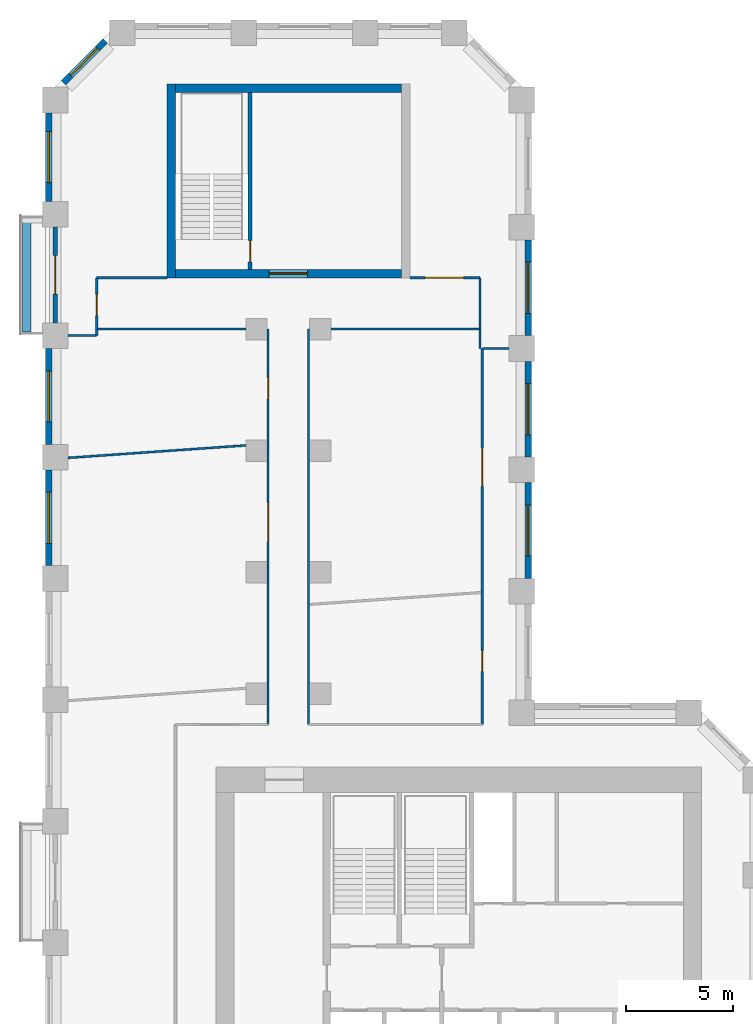
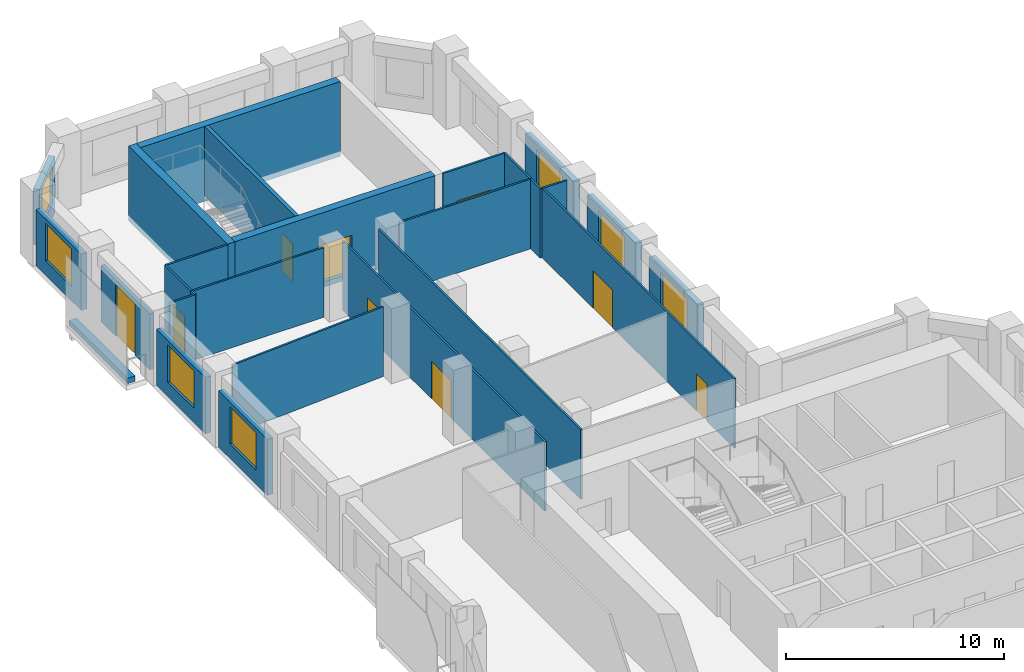
# One storey, part 8 of 10: 27 walls, 9 doors, 7 windows, 16 openings.
"""IFC4 building model written with IfcOpenShell, lengths in metres."""

from ifc_helpers import new_model, si_unit, direction, frame, frame_2d, origin, place, context, subcontext, project, spatial, rectangle, extrude, material, layer, layer_set, type_object, element, fill, save


model = new_model("IFC4")

# Units and contexts
model_context = context("Model", 3, precision=1e-05, world=origin(), true_north=direction((0.0, 1.0)))
body_context = subcontext(model_context, "Body", "Model", "MODEL_VIEW")
ifc_project = project(units=[si_unit("LENGTHUNIT", "METRE"), si_unit("AREAUNIT", "SQUARE_METRE"), si_unit("VOLUMEUNIT", "CUBIC_METRE"), si_unit("PLANEANGLEUNIT", "RADIAN"), si_unit("MASSUNIT", "GRAM", prefix="KILO")], contexts=[model_context])

# Site, building, storey
site_placement = place(None, origin())
site = spatial("IfcSite", under=ifc_project, at=site_placement, CompositionType="ELEMENT")
building_placement = place(site_placement, origin())
building = spatial("IfcBuilding", under=site, at=building_placement, Name="Meshkara Civic Tower", CompositionType="ELEMENT")
storey_placement = place(building_placement, frame((0.0, 0.0, 203.39990234375)))
storey = spatial("IfcBuildingStorey", under=building, at=storey_placement, Name="L46", CompositionType="ELEMENT", Elevation=203.39990234375)

# Wall
ifc_material_1 = material(Name="Corridor wall 100")
ifc_layer_1 = layer(ifc_material_1, 0.10009765625)
ifc_layer_set_1 = layer_set([ifc_layer_1], Name="Corridor wall 100")
wall_type_1 = type_object("IfcWallType", Name="Corridor wall 100", PredefinedType="PARTITIONING", material=ifc_layer_set_1)
wall_1_placement = place(storey_placement, frame((2.39990234375, 57.469970703125, 0.0), z_axis=(0.0, 0.0, 1.0), x_axis=(1.0, 0.0, 0.0)))
element("IfcWall", 1, at=wall_1_placement, inside=storey, type_object=wall_type_1, Name="L46-W001", PredefinedType="PARTITIONING", context=body_context, shape_type="SweptSolid", body=[
    extrude(rectangle(XDim=7.0, YDim=0.10009765625, at=frame_2d((3.5, 0.0))), origin(), (0.0, 0.0, 1.0), 3.900146484375),
])

# Wall, opening, door
wall_2_placement = place(storey_placement, frame((2.39990234375, 59.8701171875, 0.0), z_axis=(0.0, 0.0, 1.0), x_axis=(0.0, -1.0, 0.0)))
wall_2 = element("IfcWall", 2, at=wall_2_placement, inside=storey, type_object=wall_type_1, Name="L46-W002", PredefinedType="PARTITIONING", context=body_context, shape_type="SweptSolid", body=[
    extrude(rectangle(XDim=2.400146484375, YDim=0.10009765625, at=frame_2d((1.2001953125, 0.0))), origin(), (0.0, 0.0, 1.0), 3.900146484375),
])
opening_1_placement = place(wall_2_placement, frame((0.780029296875, 0.0, 0.0)))
opening_1 = element("IfcOpeningElement", 3, at=opening_1_placement, cuts=wall_2, Name="Opening L46-D021", PredefinedType="OPENING", context=body_context, shape_type="SweptSolid", body=[
    extrude(rectangle(XDim=1.0, YDim=2.10009765625, at=frame_2d((0.5, 1.050048828125))), frame((0.0, 0.06005859375, 0.0), z_axis=(0.0, -1.0, 0.0), x_axis=(1.0, 0.0, 0.0)), (0.0, 0.0, 1.0), 0.1201171875),
])
ifc_material_2 = material(Name="Door 1000 x 2100")
door_type_1 = type_object("IfcDoorType", Name="Door 1000 x 2100", OperationType="SINGLE_SWING_LEFT", PredefinedType="DOOR", material=ifc_material_2)
door_1_placement = place(opening_1_placement, origin())
door_1 = element("IfcDoor", 4, at=door_1_placement, inside=storey, type_object=door_type_1, Name="L46-D021", OperationType="SINGLE_SWING_LEFT", OverallHeight=2.10009765625, OverallWidth=1.0, PredefinedType="DOOR", context=body_context, shape_type="SweptSolid", body=[
    extrude(rectangle(XDim=1.0, YDim=2.10009765625, at=frame_2d((0.5, 1.050048828125))), frame((0.0, 0.02490234375, 0.0), z_axis=(0.0, -1.0, 0.0), x_axis=(1.0, 0.0, 0.0)), (0.0, 0.0, 1.0), 0.050048828125),
])
fill(opening_1, door_1)

# Wall
wall_3_placement = place(storey_placement, frame((5.699951171875, 59.8701171875, 0.0), z_axis=(0.0, 0.0, 1.0), x_axis=(-1.0, 0.0, 0.0)))
element("IfcWall", 5, at=wall_3_placement, inside=storey, type_object=wall_type_1, Name="L46-W003", PredefinedType="PARTITIONING", context=body_context, shape_type="SweptSolid", body=[
    extrude(rectangle(XDim=3.300048828125, YDim=0.10009765625, at=frame_2d((1.64990234375, 0.0))), origin(), (0.0, 0.0, 1.0), 3.900146484375),
])

# Wall, openings, doors
wall_4_placement = place(storey_placement, frame((10.449951171875, 57.469970703125, 0.0), z_axis=(0.0, 0.0, 1.0), x_axis=(0.0, -1.0, 0.0)))
wall_4 = element("IfcWall", 6, at=wall_4_placement, inside=storey, type_object=wall_type_1, Name="L46-W012", PredefinedType="PARTITIONING", context=body_context, shape_type="SweptSolid", body=[
    extrude(rectangle(XDim=18.570068359375, YDim=0.10009765625, at=frame_2d((9.28515625, 0.0))), origin(), (0.0, 0.0, 1.0), 3.900146484375),
])
opening_2_placement = place(wall_4_placement, frame((8.176025390625, 0.0, 0.0)))
opening_2 = element("IfcOpeningElement", 7, at=opening_2_placement, cuts=wall_4, Name="Opening L46-D019", PredefinedType="OPENING", context=body_context, shape_type="SweptSolid", body=[
    extrude(rectangle(XDim=1.800048828125, YDim=2.10009765625, at=frame_2d((0.89990234375, 1.050048828125))), frame((0.0, 0.06005859375, 0.0), z_axis=(0.0, -1.0, 0.0), x_axis=(1.0, 0.0, 0.0)), (0.0, 0.0, 1.0), 0.1201171875),
])
opening_3_placement = place(wall_4_placement, frame((2.280029296875, 0.0, 0.0)))
opening_3 = element("IfcOpeningElement", 8, at=opening_3_placement, cuts=wall_4, Name="Opening L46-D022", PredefinedType="OPENING", context=body_context, shape_type="SweptSolid", body=[
    extrude(rectangle(XDim=1.0, YDim=2.10009765625, at=frame_2d((0.5, 1.050048828125))), frame((0.0, 0.06005859375, 0.0), z_axis=(0.0, -1.0, 0.0), x_axis=(1.0, 0.0, 0.0)), (0.0, 0.0, 1.0), 0.1201171875),
])
door_2_placement = place(opening_3_placement, origin())
door_2 = element("IfcDoor", 9, at=door_2_placement, inside=storey, type_object=door_type_1, Name="L46-D022", OperationType="SINGLE_SWING_LEFT", OverallHeight=2.10009765625, OverallWidth=1.0, PredefinedType="DOOR", context=body_context, shape_type="SweptSolid", body=[
    extrude(rectangle(XDim=1.0, YDim=2.10009765625, at=frame_2d((0.5, 1.050048828125))), frame((0.0, 0.02490234375, 0.0), z_axis=(0.0, -1.0, 0.0), x_axis=(1.0, 0.0, 0.0)), (0.0, 0.0, 1.0), 0.050048828125),
])
fill(opening_3, door_2)
ifc_material_3 = material(Name="Door pair 1800 x 2100")
door_type_2 = type_object("IfcDoorType", Name="Door pair 1800 x 2100", OperationType="SINGLE_SWING_LEFT", PredefinedType="DOOR", material=ifc_material_3)
door_3_placement = place(opening_2_placement, origin())
door_3 = element("IfcDoor", 10, at=door_3_placement, inside=storey, type_object=door_type_2, Name="L46-D019", OperationType="DOUBLE_DOOR_SINGLE_SWING", OverallHeight=2.10009765625, OverallWidth=1.800048828125, PredefinedType="DOOR", context=body_context, shape_type="SweptSolid", body=[
    extrude(rectangle(XDim=1.800048828125, YDim=2.10009765625, at=frame_2d((0.89990234375, 1.050048828125))), frame((0.0, 0.02490234375, 0.0), z_axis=(0.0, -1.0, 0.0), x_axis=(1.0, 0.0, 0.0)), (0.0, 0.0, 1.0), 0.050048828125),
])
fill(opening_2, door_3)

# Walls
wall_5_placement = place(storey_placement, frame((12.35009765625, 57.469970703125, 0.0), z_axis=(0.0, 0.0, 1.0), x_axis=(0.0, -1.0, 0.0)))
element("IfcWall", 11, at=wall_5_placement, inside=storey, type_object=wall_type_1, Name="L46-W013", PredefinedType="PARTITIONING", context=body_context, shape_type="SweptSolid", body=[
    extrude(rectangle(XDim=18.570068359375, YDim=0.10009765625, at=frame_2d((9.28515625, 0.0))), origin(), (0.0, 0.0, 1.0), 3.900146484375),
])
wall_6_placement = place(storey_placement, frame((13.39990234375, 57.469970703125, 0.0), z_axis=(0.0, 0.0, 1.0), x_axis=(1.0, 0.0, 0.0)))
element("IfcWall", 12, at=wall_6_placement, inside=storey, type_object=wall_type_1, Name="L46-W015", PredefinedType="PARTITIONING", context=body_context, shape_type="SweptSolid", body=[
    extrude(rectangle(XDim=7.0, YDim=0.10009765625, at=frame_2d((3.5, 0.0))), origin(), (0.0, 0.0, 1.0), 3.900146484375),
])
wall_7_placement = place(storey_placement, frame((20.39990234375, 57.469970703125, 0.0), z_axis=(0.0, 0.0, 1.0), x_axis=(0.0, 1.0, 0.0)))
element("IfcWall", 13, at=wall_7_placement, inside=storey, type_object=wall_type_1, Name="L46-W016", PredefinedType="PARTITIONING", context=body_context, shape_type="SweptSolid", body=[
    extrude(rectangle(XDim=2.400146484375, YDim=0.10009765625, at=frame_2d((1.2001953125, 0.0))), origin(), (0.0, 0.0, 1.0), 3.900146484375),
])

# Wall, opening, door
wall_8_placement = place(storey_placement, frame((20.39990234375, 59.8701171875, 0.0), z_axis=(0.0, 0.0, 1.0), x_axis=(-1.0, 0.0, 0.0)))
wall_8 = element("IfcWall", 14, at=wall_8_placement, inside=storey, type_object=wall_type_1, Name="L46-W017", PredefinedType="PARTITIONING", context=body_context, shape_type="SweptSolid", body=[
    extrude(rectangle(XDim=3.2998046875, YDim=0.10009765625, at=frame_2d((1.64990234375, 0.0))), origin(), (0.0, 0.0, 1.0), 3.900146484375),
])
opening_4_placement = place(wall_8_placement, frame((0.780029296875, 0.0, 0.0)))
opening_4 = element("IfcOpeningElement", 15, at=opening_4_placement, cuts=wall_8, Name="Opening L46-D023", PredefinedType="OPENING", context=body_context, shape_type="SweptSolid", body=[
    extrude(rectangle(XDim=1.800048828125, YDim=2.10009765625, at=frame_2d((0.89990234375, 1.050048828125))), frame((0.0, 0.06005859375, 0.0), z_axis=(0.0, -1.0, 0.0), x_axis=(1.0, 0.0, 0.0)), (0.0, 0.0, 1.0), 0.1201171875),
])
door_4_placement = place(opening_4_placement, origin())
door_4 = element("IfcDoor", 16, at=door_4_placement, inside=storey, type_object=door_type_2, Name="L46-D023", OperationType="DOUBLE_DOOR_SINGLE_SWING", OverallHeight=2.10009765625, OverallWidth=1.800048828125, PredefinedType="DOOR", context=body_context, shape_type="SweptSolid", body=[
    extrude(rectangle(XDim=1.800048828125, YDim=2.10009765625, at=frame_2d((0.89990234375, 1.050048828125))), frame((0.0, 0.02490234375, 0.0), z_axis=(0.0, -1.0, 0.0), x_axis=(1.0, 0.0, 0.0)), (0.0, 0.0, 1.0), 0.050048828125),
])
fill(opening_4, door_4)

# Wall, openings, doors
wall_9_placement = place(storey_placement, frame((20.5, 38.89990234375, 0.0), z_axis=(0.0, 0.0, 1.0), x_axis=(0.0, 1.0, 0.0)))
wall_9 = element("IfcWall", 17, at=wall_9_placement, inside=storey, type_object=wall_type_1, Name="L46-W018", PredefinedType="PARTITIONING", context=body_context, shape_type="SweptSolid", body=[
    extrude(rectangle(XDim=17.650146484375, YDim=0.10009765625, at=frame_2d((8.8251953125, 0.0))), origin(), (0.0, 0.0, 1.0), 3.900146484375),
])
opening_5_placement = place(wall_9_placement, frame((2.47998046875, 0.0, 0.0)))
opening_5 = element("IfcOpeningElement", 18, at=opening_5_placement, cuts=wall_9, Name="Opening L46-D018", PredefinedType="OPENING", context=body_context, shape_type="SweptSolid", body=[
    extrude(rectangle(XDim=1.0, YDim=2.10009765625, at=frame_2d((0.5, 1.050048828125))), frame((0.0, 0.06005859375, 0.0), z_axis=(0.0, -1.0, 0.0), x_axis=(1.0, 0.0, 0.0)), (0.0, 0.0, 1.0), 0.1201171875),
])
opening_6_placement = place(wall_9_placement, frame((11.177001953125, 0.0, 0.0)))
opening_6 = element("IfcOpeningElement", 19, at=opening_6_placement, cuts=wall_9, Name="Opening L46-D020", PredefinedType="OPENING", context=body_context, shape_type="SweptSolid", body=[
    extrude(rectangle(XDim=1.800048828125, YDim=2.10009765625, at=frame_2d((0.89990234375, 1.050048828125))), frame((0.0, 0.06005859375, 0.0), z_axis=(0.0, -1.0, 0.0), x_axis=(1.0, 0.0, 0.0)), (0.0, 0.0, 1.0), 0.1201171875),
])
door_5_placement = place(opening_5_placement, origin())
door_5 = element("IfcDoor", 20, at=door_5_placement, inside=storey, type_object=door_type_1, Name="L46-D018", OperationType="SINGLE_SWING_LEFT", OverallHeight=2.10009765625, OverallWidth=1.0, PredefinedType="DOOR", context=body_context, shape_type="SweptSolid", body=[
    extrude(rectangle(XDim=1.0, YDim=2.10009765625, at=frame_2d((0.5, 1.050048828125))), frame((0.0, 0.02490234375, 0.0), z_axis=(0.0, -1.0, 0.0), x_axis=(1.0, 0.0, 0.0)), (0.0, 0.0, 1.0), 0.050048828125),
])
fill(opening_5, door_5)
door_6_placement = place(opening_6_placement, origin())
door_6 = element("IfcDoor", 21, at=door_6_placement, inside=storey, type_object=door_type_2, Name="L46-D020", OperationType="DOUBLE_DOOR_SINGLE_SWING", OverallHeight=2.10009765625, OverallWidth=1.800048828125, PredefinedType="DOOR", context=body_context, shape_type="SweptSolid", body=[
    extrude(rectangle(XDim=1.800048828125, YDim=2.10009765625, at=frame_2d((0.89990234375, 1.050048828125))), frame((0.0, 0.02490234375, 0.0), z_axis=(0.0, -1.0, 0.0), x_axis=(1.0, 0.0, 0.0)), (0.0, 0.0, 1.0), 0.050048828125),
])
fill(opening_6, door_6)

# Wall
wall_10_placement = place(storey_placement, frame((21.75, 56.550048828125, 0.0), z_axis=(0.0, 0.0, 1.0), x_axis=(-1.0, 0.0, 0.0)))
element("IfcWall", 22, at=wall_10_placement, inside=storey, type_object=wall_type_1, Name="L46-W020", PredefinedType="PARTITIONING", context=body_context, shape_type="SweptSolid", body=[
    extrude(rectangle(XDim=1.25, YDim=0.10009765625, at=frame_2d((0.625, 0.0))), origin(), (0.0, 0.0, 1.0), 3.900146484375),
])

# Wall, opening, window
ifc_material_4 = material(Name="Insulated infill panel with bronze anodised aluminium cladding", Category="aluminium")
ifc_layer_2 = layer(ifc_material_4, 0.300048828125)
ifc_layer_set_2 = layer_set([ifc_layer_2], Name="EXTERNAL INFILL WALL 300")
wall_type_2 = type_object("IfcWallType", Name="EXTERNAL INFILL WALL 300", PredefinedType="SOLIDWALL", material=ifc_layer_set_2)
wall_11_placement = place(storey_placement, frame((22.64990234375, 45.75, 0.0), z_axis=(0.0, 0.0, 1.0), x_axis=(0.0, 1.0, 0.0)))
wall_11 = element("IfcWall", 23, at=wall_11_placement, inside=storey, type_object=wall_type_2, Name="External wall", PredefinedType="SOLIDWALL", context=body_context, shape_type="SweptSolid", body=[
    extrude(rectangle(XDim=4.5, YDim=0.300048828125, at=frame_2d((2.25, 0.0))), origin(), (0.0, 0.0, 1.0), 3.150146484375),
])
opening_7_placement = place(wall_11_placement, frame((1.050048828125, 0.0, 0.800048828125)))
opening_7 = element("IfcOpeningElement", 24, at=opening_7_placement, cuts=wall_11, Name="Opening W7", PredefinedType="OPENING", context=body_context, shape_type="SweptSolid", body=[
    extrude(rectangle(XDim=2.39990234375, YDim=2.10009765625, at=frame_2d((1.199951171875, 1.050048828125))), frame((0.0, 0.159912109375, 0.0), z_axis=(0.0, -1.0, 0.0), x_axis=(1.0, 0.0, 0.0)), (0.0, 0.0, 1.0), 0.320068359375),
])
ifc_material_5 = material(Name="Tinted double glazing", Category="glass")
window_type_1 = type_object("IfcWindowType", Name="WINDOW 2400x2100", PartitioningType="DOUBLE_PANEL_VERTICAL", PredefinedType="WINDOW", material=ifc_material_5)
window_1_placement = place(opening_7_placement, origin())
window_1 = element("IfcWindow", 25, at=window_1_placement, inside=storey, type_object=window_type_1, Name="Window", OverallHeight=2.10009765625, OverallWidth=2.39990234375, PartitioningType="DOUBLE_PANEL_VERTICAL", PredefinedType="WINDOW", context=body_context, shape_type="SweptSolid", body=[
    extrude(rectangle(XDim=2.39990234375, YDim=2.10009765625, at=frame_2d((1.199951171875, 1.050048828125))), frame((0.0, 0.030029296875, 0.0), z_axis=(0.0, -1.0, 0.0), x_axis=(1.0, 0.0, 0.0)), (0.0, 0.0, 1.0), 0.06005859375),
])
fill(opening_7, window_1)

wall_12_placement = place(storey_placement, frame((22.64990234375, 51.449951171875, 0.0), z_axis=(0.0, 0.0, 1.0), x_axis=(0.0, 1.0, 0.0)))
wall_12 = element("IfcWall", 26, at=wall_12_placement, inside=storey, type_object=wall_type_2, Name="External wall", PredefinedType="SOLIDWALL", context=body_context, shape_type="SweptSolid", body=[
    extrude(rectangle(XDim=4.5, YDim=0.300048828125, at=frame_2d((2.25, 0.0))), origin(), (0.0, 0.0, 1.0), 3.150146484375),
])
opening_8_placement = place(wall_12_placement, frame((1.050048828125, 0.0, 0.800048828125)))
opening_8 = element("IfcOpeningElement", 27, at=opening_8_placement, cuts=wall_12, Name="Opening W7", PredefinedType="OPENING", context=body_context, shape_type="SweptSolid", body=[
    extrude(rectangle(XDim=2.39990234375, YDim=2.10009765625, at=frame_2d((1.199951171875, 1.050048828125))), frame((0.0, 0.159912109375, 0.0), z_axis=(0.0, -1.0, 0.0), x_axis=(1.0, 0.0, 0.0)), (0.0, 0.0, 1.0), 0.320068359375),
])
window_2_placement = place(opening_8_placement, origin())
window_2 = element("IfcWindow", 28, at=window_2_placement, inside=storey, type_object=window_type_1, Name="Window", OverallHeight=2.10009765625, OverallWidth=2.39990234375, PartitioningType="DOUBLE_PANEL_VERTICAL", PredefinedType="WINDOW", context=body_context, shape_type="SweptSolid", body=[
    extrude(rectangle(XDim=2.39990234375, YDim=2.10009765625, at=frame_2d((1.199951171875, 1.050048828125))), frame((0.0, 0.030029296875, 0.0), z_axis=(0.0, -1.0, 0.0), x_axis=(1.0, 0.0, 0.0)), (0.0, 0.0, 1.0), 0.06005859375),
])
fill(opening_8, window_2)

wall_13_placement = place(storey_placement, frame((22.64990234375, 57.14990234375, 0.0), z_axis=(0.0, 0.0, 1.0), x_axis=(0.0, 1.0, 0.0)))
wall_13 = element("IfcWall", 29, at=wall_13_placement, inside=storey, type_object=wall_type_2, Name="External wall", PredefinedType="SOLIDWALL", context=body_context, shape_type="SweptSolid", body=[
    extrude(rectangle(XDim=4.5, YDim=0.300048828125, at=frame_2d((2.25, 0.0))), origin(), (0.0, 0.0, 1.0), 3.150146484375),
])
opening_9_placement = place(wall_13_placement, frame((1.050048828125, 0.0, 0.800048828125)))
opening_9 = element("IfcOpeningElement", 30, at=opening_9_placement, cuts=wall_13, Name="Opening W7", PredefinedType="OPENING", context=body_context, shape_type="SweptSolid", body=[
    extrude(rectangle(XDim=2.39990234375, YDim=2.10009765625, at=frame_2d((1.199951171875, 1.050048828125))), frame((0.0, 0.159912109375, 0.0), z_axis=(0.0, -1.0, 0.0), x_axis=(1.0, 0.0, 0.0)), (0.0, 0.0, 1.0), 0.320068359375),
])
window_3_placement = place(opening_9_placement, origin())
window_3 = element("IfcWindow", 31, at=window_3_placement, inside=storey, type_object=window_type_1, Name="Window", OverallHeight=2.10009765625, OverallWidth=2.39990234375, PartitioningType="DOUBLE_PANEL_VERTICAL", PredefinedType="WINDOW", context=body_context, shape_type="SweptSolid", body=[
    extrude(rectangle(XDim=2.39990234375, YDim=2.10009765625, at=frame_2d((1.199951171875, 1.050048828125))), frame((0.0, 0.030029296875, 0.0), z_axis=(0.0, -1.0, 0.0), x_axis=(1.0, 0.0, 0.0)), (0.0, 0.0, 1.0), 0.06005859375),
])
fill(opening_9, window_3)

wall_14_placement = place(storey_placement, frame((2.7939453125, 70.98193359375, 0.0), z_axis=(0.0, 0.0, 1.0), x_axis=(-0.707106781187, -0.707106781187, 0.0)))
wall_14 = element("IfcWall", 32, at=wall_14_placement, inside=storey, type_object=wall_type_2, Name="External wall", PredefinedType="SOLIDWALL", context=body_context, shape_type="SweptSolid", body=[
    extrude(rectangle(XDim=2.766357421875, YDim=0.300048828125, at=frame_2d((1.38330078125, 0.0))), origin(), (0.0, 0.0, 1.0), 3.150146484375),
])
opening_10_placement = place(wall_14_placement, frame((0.48291015625, 0.0, 0.800048828125)))
opening_10 = element("IfcOpeningElement", 33, at=opening_10_placement, cuts=wall_14, Name="Opening W9", PredefinedType="OPENING", context=body_context, shape_type="SweptSolid", body=[
    extrude(rectangle(XDim=1.800048828125, YDim=2.10009765625, at=frame_2d((0.89990234375, 1.050048828125))), frame((0.0, 0.159912109375, 0.0), z_axis=(0.0, -1.0, 0.0), x_axis=(1.0, 0.0, 0.0)), (0.0, 0.0, 1.0), 0.320068359375),
])
ifc_material_6 = material(Name="Tinted double glazing", Category="glass")
window_type_2 = type_object("IfcWindowType", Name="WINDOW 1800x2100", PartitioningType="DOUBLE_PANEL_VERTICAL", PredefinedType="WINDOW", material=ifc_material_6)
window_4_placement = place(opening_10_placement, origin())
window_4 = element("IfcWindow", 34, at=window_4_placement, inside=storey, type_object=window_type_2, Name="Window", OverallHeight=2.10009765625, OverallWidth=1.800048828125, PartitioningType="DOUBLE_PANEL_VERTICAL", PredefinedType="WINDOW", context=body_context, shape_type="SweptSolid", body=[
    extrude(rectangle(XDim=1.800048828125, YDim=2.10009765625, at=frame_2d((0.89990234375, 1.050048828125))), frame((0.0, 0.030029296875, 0.0), z_axis=(0.0, -1.0, 0.0), x_axis=(1.0, 0.0, 0.0)), (0.0, 0.0, 1.0), 0.06005859375),
])
fill(opening_10, window_4)

wall_15_placement = place(storey_placement, frame((0.14990234375, 67.614013671875, 0.0), z_axis=(0.0, 0.0, 1.0), x_axis=(0.0, -1.0, 0.0)))
wall_15 = element("IfcWall", 35, at=wall_15_placement, inside=storey, type_object=wall_type_2, Name="External wall", PredefinedType="SOLIDWALL", context=body_context, shape_type="SweptSolid", body=[
    extrude(rectangle(XDim=4.158935546875, YDim=0.300048828125, at=frame_2d((2.07958984375, 0.0))), origin(), (0.0, 0.0, 1.0), 3.150146484375),
])
opening_11_placement = place(wall_15_placement, frame((0.8798828125, 0.0, 0.800048828125)))
opening_11 = element("IfcOpeningElement", 36, at=opening_11_placement, cuts=wall_15, Name="Opening W7", PredefinedType="OPENING", context=body_context, shape_type="SweptSolid", body=[
    extrude(rectangle(XDim=2.39990234375, YDim=2.10009765625, at=frame_2d((1.199951171875, 1.050048828125))), frame((0.0, 0.159912109375, 0.0), z_axis=(0.0, -1.0, 0.0), x_axis=(1.0, 0.0, 0.0)), (0.0, 0.0, 1.0), 0.320068359375),
])
window_5_placement = place(opening_11_placement, origin())
window_5 = element("IfcWindow", 37, at=window_5_placement, inside=storey, type_object=window_type_1, Name="Window", OverallHeight=2.10009765625, OverallWidth=2.39990234375, PartitioningType="DOUBLE_PANEL_VERTICAL", PredefinedType="WINDOW", context=body_context, shape_type="SweptSolid", body=[
    extrude(rectangle(XDim=2.39990234375, YDim=2.10009765625, at=frame_2d((1.199951171875, 1.050048828125))), frame((0.0, 0.030029296875, 0.0), z_axis=(0.0, -1.0, 0.0), x_axis=(1.0, 0.0, 0.0)), (0.0, 0.0, 1.0), 0.06005859375),
])
fill(opening_11, window_5)

wall_16_placement = place(storey_placement, frame((0.14990234375, 56.554931640625, 0.0), z_axis=(0.0, 0.0, 1.0), x_axis=(0.0, -1.0, 0.0)))
wall_16 = element("IfcWall", 38, at=wall_16_placement, inside=storey, type_object=wall_type_2, Name="External wall", PredefinedType="SOLIDWALL", context=body_context, shape_type="SweptSolid", body=[
    extrude(rectangle(XDim=4.5, YDim=0.300048828125, at=frame_2d((2.25, 0.0))), origin(), (0.0, 0.0, 1.0), 3.150146484375),
])
opening_12_placement = place(wall_16_placement, frame((1.050048828125, 0.0, 0.800048828125)))
opening_12 = element("IfcOpeningElement", 39, at=opening_12_placement, cuts=wall_16, Name="Opening W7", PredefinedType="OPENING", context=body_context, shape_type="SweptSolid", body=[
    extrude(rectangle(XDim=2.39990234375, YDim=2.10009765625, at=frame_2d((1.199951171875, 1.050048828125))), frame((0.0, 0.159912109375, 0.0), z_axis=(0.0, -1.0, 0.0), x_axis=(1.0, 0.0, 0.0)), (0.0, 0.0, 1.0), 0.320068359375),
])
window_6_placement = place(opening_12_placement, origin())
window_6 = element("IfcWindow", 40, at=window_6_placement, inside=storey, type_object=window_type_1, Name="Window", OverallHeight=2.10009765625, OverallWidth=2.39990234375, PartitioningType="DOUBLE_PANEL_VERTICAL", PredefinedType="WINDOW", context=body_context, shape_type="SweptSolid", body=[
    extrude(rectangle(XDim=2.39990234375, YDim=2.10009765625, at=frame_2d((1.199951171875, 1.050048828125))), frame((0.0, 0.030029296875, 0.0), z_axis=(0.0, -1.0, 0.0), x_axis=(1.0, 0.0, 0.0)), (0.0, 0.0, 1.0), 0.06005859375),
])
fill(opening_12, window_6)

wall_17_placement = place(storey_placement, frame((0.14990234375, 50.85498046875, 0.0), z_axis=(0.0, 0.0, 1.0), x_axis=(0.0, -1.0, 0.0)))
wall_17 = element("IfcWall", 41, at=wall_17_placement, inside=storey, type_object=wall_type_2, Name="External wall", PredefinedType="SOLIDWALL", context=body_context, shape_type="SweptSolid", body=[
    extrude(rectangle(XDim=4.5, YDim=0.300048828125, at=frame_2d((2.25, 0.0))), origin(), (0.0, 0.0, 1.0), 3.150146484375),
])
opening_13_placement = place(wall_17_placement, frame((1.050048828125, 0.0, 0.800048828125)))
opening_13 = element("IfcOpeningElement", 42, at=opening_13_placement, cuts=wall_17, Name="Opening W7", PredefinedType="OPENING", context=body_context, shape_type="SweptSolid", body=[
    extrude(rectangle(XDim=2.39990234375, YDim=2.10009765625, at=frame_2d((1.199951171875, 1.050048828125))), frame((0.0, 0.159912109375, 0.0), z_axis=(0.0, -1.0, 0.0), x_axis=(1.0, 0.0, 0.0)), (0.0, 0.0, 1.0), 0.320068359375),
])
window_7_placement = place(opening_13_placement, origin())
window_7 = element("IfcWindow", 43, at=window_7_placement, inside=storey, type_object=window_type_1, Name="Window", OverallHeight=2.10009765625, OverallWidth=2.39990234375, PartitioningType="DOUBLE_PANEL_VERTICAL", PredefinedType="WINDOW", context=body_context, shape_type="SweptSolid", body=[
    extrude(rectangle(XDim=2.39990234375, YDim=2.10009765625, at=frame_2d((1.199951171875, 1.050048828125))), frame((0.0, 0.030029296875, 0.0), z_axis=(0.0, -1.0, 0.0), x_axis=(1.0, 0.0, 0.0)), (0.0, 0.0, 1.0), 0.06005859375),
])
fill(opening_13, window_7)

# Wall
ifc_material_7 = material(Name="Concrete C70", Category="concrete")
ifc_layer_3 = layer(ifc_material_7, 0.39990234375)
ifc_layer_set_3 = layer_set([ifc_layer_3], Name="End core ring wall 400 C70")
wall_type_3 = type_object("IfcWallType", Name="End core ring wall 400 C70", PredefinedType="SHEAR", material=ifc_layer_set_3)
wall_18_placement = place(storey_placement, frame((5.89990234375, 59.8701171875, -0.2998046875), z_axis=(0.0, 0.0, 1.0), x_axis=(0.0, 1.0, 0.0)))
element("IfcWall", 44, at=wall_18_placement, inside=storey, type_object=wall_type_3, Name="L46-C023", PredefinedType="SHEAR", context=body_context, shape_type="SweptSolid", body=[
    extrude(rectangle(XDim=9.099853515625, YDim=0.39990234375, at=frame_2d((4.5498046875, 0.0))), origin(), (0.0, 0.0, 1.0), 4.199951171875),
])

# Wall, opening, door
wall_19_placement = place(storey_placement, frame((6.10009765625, 60.070068359375, -0.2998046875), z_axis=(0.0, 0.0, 1.0), x_axis=(1.0, 0.0, 0.0)))
wall_19 = element("IfcWall", 45, at=wall_19_placement, inside=storey, type_object=wall_type_3, Name="L46-C025", PredefinedType="SHEAR", context=body_context, shape_type="SweptSolid", body=[
    extrude(rectangle(XDim=10.599853515625, YDim=0.39990234375, at=frame_2d((5.2998046875, 0.0))), origin(), (0.0, 0.0, 1.0), 4.199951171875),
])
opening_14_placement = place(wall_19_placement, frame((4.39990234375, 0.0, 0.300048828125)))
opening_14 = element("IfcOpeningElement", 46, at=opening_14_placement, cuts=wall_19, Name="Opening L46-K102", PredefinedType="OPENING", context=body_context, shape_type="SweptSolid", body=[
    extrude(rectangle(XDim=1.800048828125, YDim=2.10009765625, at=frame_2d((0.89990234375, 1.050048828125))), frame((0.0, 0.2099609375, 0.0), z_axis=(0.0, -1.0, 0.0), x_axis=(1.0, 0.0, 0.0)), (0.0, 0.0, 1.0), 0.419921875),
])
ifc_material_8 = material(Name="Fire-rated door leaf in steel frame", Category="steel")
door_type_3 = type_object("IfcDoorType", Name="Core double door 1800 EI 60", OperationType="DOUBLE_DOOR_SINGLE_SWING", PredefinedType="DOOR", material=ifc_material_8)
door_7_placement = place(opening_14_placement, origin())
door_7 = element("IfcDoor", 47, at=door_7_placement, inside=storey, type_object=door_type_3, Name="L46-K102", OperationType="DOUBLE_DOOR_SINGLE_SWING", OverallHeight=2.10009765625, OverallWidth=1.800048828125, PredefinedType="DOOR", context=body_context, shape_type="SweptSolid", body=[
    extrude(rectangle(XDim=1.800048828125, YDim=2.10009765625, at=frame_2d((0.89990234375, 1.050048828125))), frame((0.0, 0.02490234375, 0.0), z_axis=(0.0, -1.0, 0.0), x_axis=(1.0, 0.0, 0.0)), (0.0, 0.0, 1.0), 0.050048828125),
])
fill(opening_14, door_7)

# Wall
wall_20_placement = place(storey_placement, frame((6.10009765625, 68.77001953125, -0.2998046875), z_axis=(0.0, 0.0, 1.0), x_axis=(1.0, 0.0, 0.0)))
element("IfcWall", 48, at=wall_20_placement, inside=storey, type_object=wall_type_3, Name="L46-C026", PredefinedType="SHEAR", context=body_context, shape_type="SweptSolid", body=[
    extrude(rectangle(XDim=10.599853515625, YDim=0.39990234375, at=frame_2d((5.2998046875, 0.0))), origin(), (0.0, 0.0, 1.0), 4.199951171875),
])

# Wall, opening, door
ifc_material_9 = material(Name="Insulated infill panel with bronze anodised aluminium cladding", Category="aluminium")
ifc_layer_4 = layer(ifc_material_9, 0.199951171875)
ifc_layer_set_4 = layer_set([ifc_layer_4], Name="LOGGIA BACK WALL 200")
wall_type_4 = type_object("IfcWallType", Name="LOGGIA BACK WALL 200", PredefinedType="SOLIDWALL", material=ifc_layer_set_4)
wall_21_placement = place(storey_placement, frame((0.449951171875, 62.2548828125, 0.0), z_axis=(0.0, 0.0, 1.0), x_axis=(0.0, -1.0, 0.0)))
wall_21 = element("IfcWall", 49, at=wall_21_placement, inside=storey, type_object=wall_type_4, Name="Loggia wall", PredefinedType="SOLIDWALL", context=body_context, shape_type="SweptSolid", body=[
    extrude(rectangle(XDim=4.5, YDim=0.199951171875, at=frame_2d((2.25, 0.0))), origin(), (0.0, 0.0, 1.0), 3.150146484375),
])
opening_15_placement = place(wall_21_placement, frame((1.34912109375, 0.0, 0.0)))
opening_15 = element("IfcOpeningElement", 50, at=opening_15_placement, cuts=wall_21, Name="Opening L46-L001", PredefinedType="OPENING", context=body_context, shape_type="SweptSolid", body=[
    extrude(rectangle(XDim=1.800048828125, YDim=2.89990234375, at=frame_2d((0.89990234375, 1.449951171875))), frame((0.0, 0.10986328125, 0.0), z_axis=(0.0, -1.0, 0.0), x_axis=(1.0, 0.0, 0.0)), (0.0, 0.0, 1.0), 0.219970703125),
])
ifc_material_10 = material(Name="Tinted double glazing", Category="glass")
door_type_4 = type_object("IfcDoorType", Name="LOGGIA DOOR 1800x2900", OperationType="DOUBLE_DOOR_SINGLE_SWING", PredefinedType="DOOR", material=ifc_material_10)
door_8_placement = place(opening_15_placement, origin())
door_8 = element("IfcDoor", 51, at=door_8_placement, inside=storey, type_object=door_type_4, Name="L46-L001", OperationType="DOUBLE_DOOR_SINGLE_SWING", OverallHeight=2.89990234375, OverallWidth=1.800048828125, PredefinedType="DOOR", context=body_context, shape_type="SweptSolid", body=[
    extrude(rectangle(XDim=1.800048828125, YDim=2.89990234375, at=frame_2d((0.89990234375, 1.449951171875))), frame((0.0, 0.02490234375, 0.0), z_axis=(0.0, -1.0, 0.0), x_axis=(1.0, 0.0, 0.0)), (0.0, 0.0, 1.0), 0.050048828125),
])
fill(opening_15, door_8)

# Walls
ifc_material_11 = material(Name="Concrete C40", Category="concrete")
ifc_layer_5 = layer(ifc_material_11, 0.39990234375)
ifc_layer_set_5 = layer_set([ifc_layer_5], Name="PLANTER TRAY")
wall_type_5 = type_object("IfcWallType", Name="PLANTER TRAY", PredefinedType="SOLIDWALL", material=ifc_layer_set_5)
wall_22_placement = place(storey_placement, frame((-0.8798828125, 62.68505859375, 0.0), z_axis=(0.0, 0.0, 1.0), x_axis=(0.0, -1.0, 0.0)))
element("IfcWall", 52, at=wall_22_placement, inside=storey, type_object=wall_type_5, Name="Planter", PredefinedType="SOLIDWALL", context=body_context, shape_type="SweptSolid", body=[
    extrude(rectangle(XDim=5.360107421875, YDim=0.39990234375, at=frame_2d((2.68017578125, 0.0))), origin(), (0.0, 0.0, 1.0), 0.300048828125),
])
ifc_material_12 = material(Name="Partition 100")
ifc_layer_6 = layer(ifc_material_12, 0.10009765625)
ifc_layer_set_6 = layer_set([ifc_layer_6], Name="Partition 100")
wall_type_6 = type_object("IfcWallType", Name="Partition 100", PredefinedType="PARTITIONING", material=ifc_layer_set_6)
wall_23_placement = place(storey_placement, frame((2.39990234375, 57.155029296875, 0.0), z_axis=(0.0, 0.0, 1.0), x_axis=(-1.0, 0.0, 0.0)))
element("IfcWall", 53, at=wall_23_placement, inside=storey, type_object=wall_type_6, Name="L46-W034", PredefinedType="PARTITIONING", context=body_context, shape_type="SweptSolid", body=[
    extrude(rectangle(XDim=1.349853515625, YDim=0.10009765625, at=frame_2d((0.6748046875, 0.0))), origin(), (0.0, 0.0, 1.0), 3.900146484375),
])
wall_24_placement = place(storey_placement, frame((2.39990234375, 57.47412109375, 0.0), z_axis=(0.0, 0.0, 1.0), x_axis=(0.0, -1.0, 0.0)))
element("IfcWall", 54, at=wall_24_placement, inside=storey, type_object=wall_type_6, Name="L46-W035", PredefinedType="PARTITIONING", context=body_context, shape_type="SweptSolid", body=[
    extrude(rectangle(XDim=0.319091796875, YDim=0.10009765625, at=frame_2d((0.15966796875, 0.0))), origin(), (0.0, 0.0, 1.0), 3.900146484375),
])
wall_25_placement = place(storey_placement, frame((9.39990234375, 52.0009765625, 0.0), z_axis=(0.0, 0.0, 1.0), x_axis=(-0.997555044264, -0.069885146225, 0.0)))
element("IfcWall", 55, at=wall_25_placement, inside=storey, type_object=wall_type_6, Name="L46-W040", PredefinedType="PARTITIONING", context=body_context, shape_type="SweptSolid", body=[
    extrude(rectangle(XDim=8.370361328125, YDim=0.10009765625, at=frame_2d((4.18505859375, 0.0))), origin(), (0.0, 0.0, 1.0), 3.900146484375),
])
wall_26_placement = place(storey_placement, frame((20.39990234375, 56.550048828125, 0.0), z_axis=(0.0, 0.0, 1.0), x_axis=(0.0, 1.0, 0.0)))
element("IfcWall", 56, at=wall_26_placement, inside=storey, type_object=wall_type_6, Name="L46-W041", PredefinedType="PARTITIONING", context=body_context, shape_type="SweptSolid", body=[
    extrude(rectangle(XDim=0.924072265625, YDim=0.10009765625, at=frame_2d((0.4619140625, 0.0))), origin(), (0.0, 0.0, 1.0), 3.900146484375),
])

# Wall, opening, door
ifc_material_13 = material(Name="Concrete C40/50", Category="concrete")
ifc_layer_7 = layer(ifc_material_13, 0.199951171875)
ifc_layer_set_7 = layer_set([ifc_layer_7], Name="Stair enclosure wall 200 C40/50")
wall_type_7 = type_object("IfcWallType", Name="Stair enclosure wall 200 C40/50", PredefinedType="SOLIDWALL", material=ifc_layer_set_7)
wall_27_placement = place(storey_placement, frame((9.60009765625, 60.27001953125, 0.0), z_axis=(0.0, 0.0, 1.0), x_axis=(0.0, 1.0, 0.0)))
wall_27 = element("IfcWall", 57, at=wall_27_placement, inside=storey, type_object=wall_type_7, Name="L46-C027", PredefinedType="SOLIDWALL", context=body_context, shape_type="SweptSolid", body=[
    extrude(rectangle(XDim=8.300048828125, YDim=0.199951171875, at=frame_2d((4.14990234375, 0.0))), origin(), (0.0, 0.0, 1.0), 3.900146484375),
])
opening_16_placement = place(wall_27_placement, frame((0.35009765625, 0.0, 0.0)))
opening_16 = element("IfcOpeningElement", 58, at=opening_16_placement, cuts=wall_27, Name="Opening L46-K101", PredefinedType="OPENING", context=body_context, shape_type="SweptSolid", body=[
    extrude(rectangle(XDim=1.0, YDim=2.10009765625, at=frame_2d((0.5, 1.050048828125))), frame((0.0, 0.10986328125, 0.0), z_axis=(0.0, -1.0, 0.0), x_axis=(1.0, 0.0, 0.0)), (0.0, 0.0, 1.0), 0.219970703125),
])
ifc_material_14 = material(Name="Fire-rated door leaf in steel frame", Category="steel")
door_type_5 = type_object("IfcDoorType", Name="Stair door 1000 EI 120", OperationType="SINGLE_SWING_LEFT", PredefinedType="DOOR", material=ifc_material_14)
door_9_placement = place(opening_16_placement, origin())
door_9 = element("IfcDoor", 59, at=door_9_placement, inside=storey, type_object=door_type_5, Name="L46-K101", OperationType="SINGLE_SWING_RIGHT", OverallHeight=2.10009765625, OverallWidth=1.0, PredefinedType="DOOR", context=body_context, shape_type="SweptSolid", body=[
    extrude(rectangle(XDim=1.0, YDim=2.10009765625, at=frame_2d((0.5, 1.050048828125))), frame((0.0, 0.02490234375, 0.0), z_axis=(0.0, -1.0, 0.0), x_axis=(1.0, 0.0, 0.0)), (0.0, 0.0, 1.0), 0.050048828125),
])
fill(opening_16, door_9)

save(model, "model.ifc")
